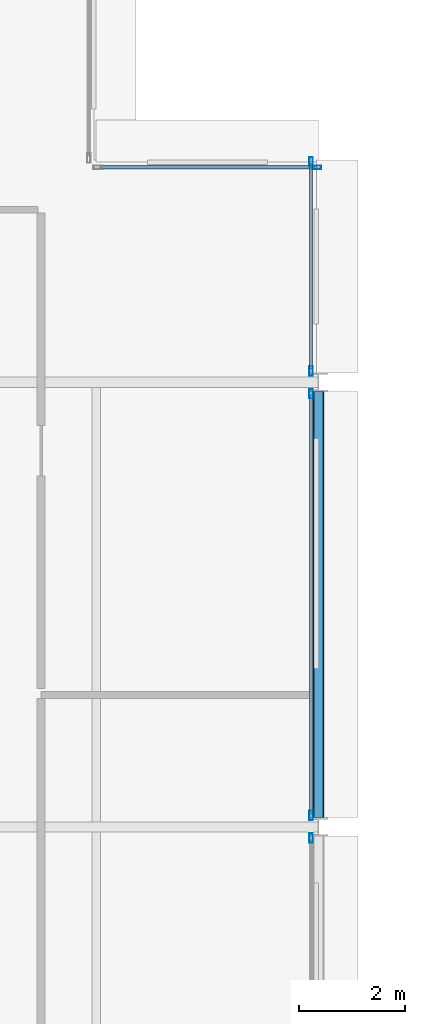
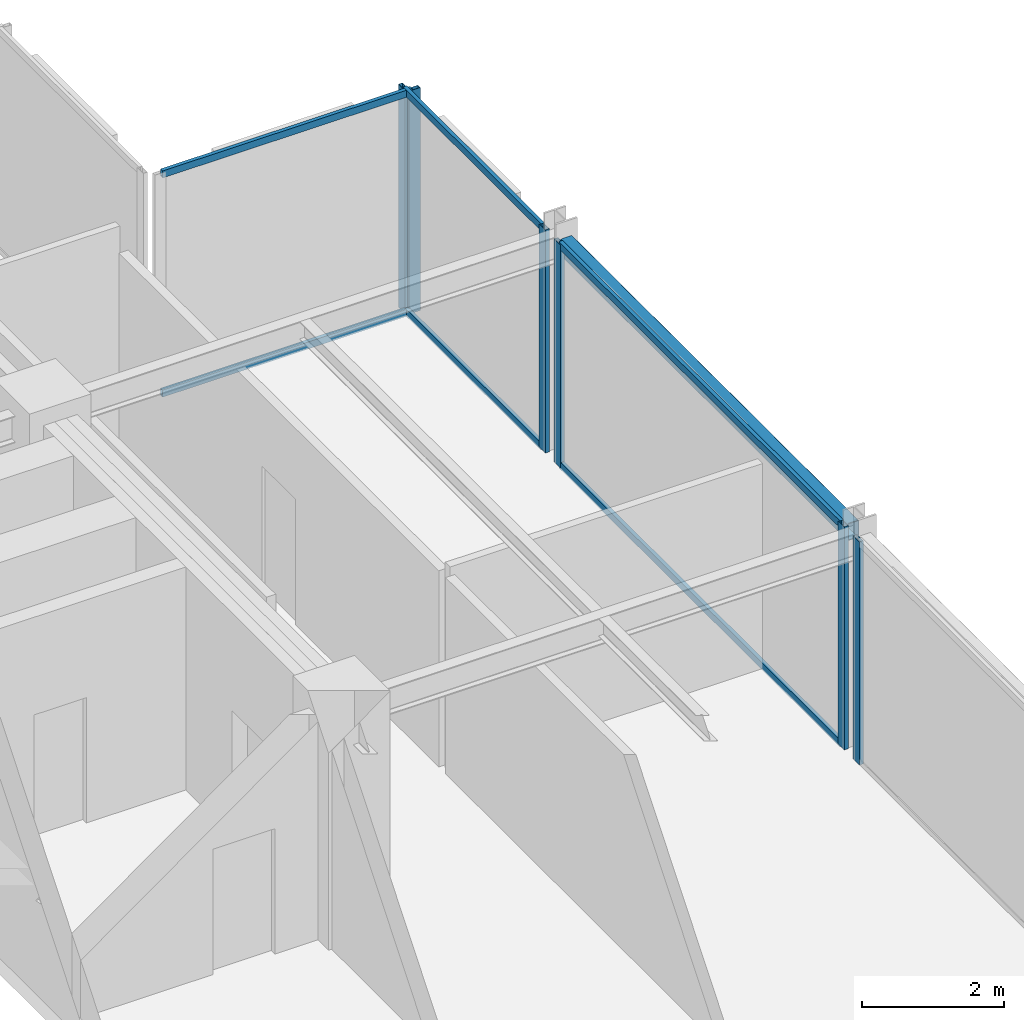
# One storey, part 22 of 29: 12 members, 1 beam, 4 elements without a shape of their own.
"""IFC4 building model written with IfcOpenShell, lengths in metres."""

from ifc_helpers import new_model, si_unit, direction, frame, origin, origin_2d, place, context, subcontext, project, spatial, hollow_rectangle, extrude, material, layer, layer_set, material_profile, profile_set, type_object, element, aggregate, save


model = new_model("IFC4")

# Units and contexts
model_context = context("Model", 3, precision=1e-05, world=origin(), true_north=direction((0.0, 1.0)))
body_context = subcontext(model_context, "Body", "Model", "MODEL_VIEW")
ifc_project = project(units=[si_unit("LENGTHUNIT", "METRE"), si_unit("AREAUNIT", "SQUARE_METRE"), si_unit("VOLUMEUNIT", "CUBIC_METRE"), si_unit("PLANEANGLEUNIT", "RADIAN"), si_unit("MASSUNIT", "GRAM", prefix="KILO")], contexts=[model_context])

# Site, building, storey
site_placement = place(None, origin())
site = spatial("IfcSite", under=ifc_project, at=site_placement, CompositionType="ELEMENT")
building_placement = place(site_placement, origin())
building = spatial("IfcBuilding", under=site, at=building_placement, Name="Nerrivon Quay Data Exchange", CompositionType="ELEMENT")
storey_placement = place(building_placement, frame((0.0, 0.0, 204.199951171875)))
storey = spatial("IfcBuildingStorey", under=building, at=storey_placement, Name="L48", CompositionType="ELEMENT", Elevation=204.199951171875)

# Beam
ifc_material_1 = material(Name="Steel Grade C350L0 (350 MPa)", Category="steel")
ifc_material_profile_1 = material_profile(ifc_material_1, hollow_rectangle(XDim=0.199951171875, YDim=0.300048828125, WallThickness=0.012451171875, InnerFilletRadius=0.018798828125, OuterFilletRadius=0.03125, at=origin_2d()), Name="300x200x12.5RHS")
ifc_profile_set_1 = profile_set([ifc_material_profile_1], Name="Steel Grade C350L0 (350 MPa)")
beam_type = type_object("IfcBeamType", Name="BM-SP3-300x200RHS", PredefinedType="SPANDREL", material=ifc_profile_set_1)
beam_placement = place(storey_placement, frame((25.199951171875, 33.77490234375, 3.675048828125), z_axis=(0.0, 1.0, 0.0), x_axis=(-1.0, 0.0, 0.0)))
element("IfcBeam", 1, at=beam_placement, inside=storey, type_object=beam_type, Name="L48 NS Girder X=25.2 (33.6..42.0)", PredefinedType="SPANDREL", context=body_context, shape_type="SweptSolid", body=[
    extrude(hollow_rectangle(XDim=0.199951171875, YDim=0.300048828125, WallThickness=0.012451171875, InnerFilletRadius=0.018798828125, OuterFilletRadius=0.03125, at=origin_2d()), origin(), (0.0, 0.0, 1.0), 8.050048828125),
])

# Curtain wall, member
ifc_material_2 = material(Name="Anodised aluminium 6063-T6", Category="aluminium")
ifc_layer = layer(ifc_material_2, 0.195068359375)
ifc_layer_set = layer_set([ifc_layer], Name="Anodised aluminium 6063-T6")
curtain_wall_type = type_object("IfcCurtainWallType", Name="CW-SYS-06", PredefinedType="NOTDEFINED", material=ifc_layer_set)
curtain_wall_1_placement = place(storey_placement, origin())
curtain_wall_1 = element("IfcCurtainWall", 2, at=curtain_wall_1_placement, inside=storey, type_object=curtain_wall_type, Name="L48 Unitised Curtain Wall 12", PredefinedType="NOTDEFINED")
ifc_material_profile_2 = material_profile(ifc_material_2, hollow_rectangle(XDim=0.06494140625, YDim=0.179931640625, WallThickness=0.00341796875, at=origin_2d()), Name="ALU-MULL-180x65")
ifc_profile_set_2 = profile_set([ifc_material_profile_2], Name="Anodised aluminium 6063-T6")
member_type_1 = type_object("IfcMemberType", Name="CWM-180x65", PredefinedType="MULLION", material=ifc_profile_set_2)
member_1_placement = place(storey_placement, frame((25.16259765625, 46.06005859375, 0.0), z_axis=(0.0, 0.0, 1.0), x_axis=(0.0, 1.0, 0.0)))
member_1 = element("IfcMember", 3, at=member_1_placement, type_object=member_type_1, Name="CW06 mullion 2", PredefinedType="MULLION", context=body_context, shape_type="SweptSolid", body=[
    extrude(hollow_rectangle(XDim=0.06494140625, YDim=0.179931640625, WallThickness=0.00341796875, at=origin_2d()), origin(), (0.0, 0.0, 1.0), 3.824951171875),
])

# Curtain wall, members
curtain_wall_2_placement = place(storey_placement, origin())
curtain_wall_2 = element("IfcCurtainWall", 4, at=curtain_wall_2_placement, inside=storey, type_object=curtain_wall_type, Name="L48 Unitised Curtain Wall 13", PredefinedType="NOTDEFINED")
member_2_placement = place(storey_placement, frame((25.06005859375, 46.16259765625, 0.0), z_axis=(0.0, 0.0, 1.0), x_axis=(1.0, 0.0, 0.0)))
member_2 = element("IfcMember", 5, at=member_2_placement, type_object=member_type_1, Name="CW06 mullion 1", PredefinedType="MULLION", context=body_context, shape_type="SweptSolid", body=[
    extrude(hollow_rectangle(XDim=0.06494140625, YDim=0.179931640625, WallThickness=0.00341796875, at=origin_2d()), origin(), (0.0, 0.0, 1.0), 3.824951171875),
])
member_3_placement = place(storey_placement, frame((25.06005859375, 42.21240234375, 0.0), z_axis=(0.0, 0.0, 1.0), x_axis=(1.0, 0.0, 0.0)))
member_3 = element("IfcMember", 6, at=member_3_placement, type_object=member_type_1, Name="CW06 mullion 2", PredefinedType="MULLION", context=body_context, shape_type="SweptSolid", body=[
    extrude(hollow_rectangle(XDim=0.06494140625, YDim=0.179931640625, WallThickness=0.00341796875, at=origin_2d()), origin(), (0.0, 0.0, 1.0), 3.824951171875),
])

curtain_wall_3_placement = place(storey_placement, origin())
curtain_wall_3 = element("IfcCurtainWall", 7, at=curtain_wall_3_placement, inside=storey, type_object=curtain_wall_type, Name="L48 Unitised Curtain Wall 14", PredefinedType="NOTDEFINED")
member_4_placement = place(storey_placement, frame((25.06005859375, 41.78759765625, 0.0), z_axis=(0.0, 0.0, 1.0), x_axis=(1.0, 0.0, 0.0)))
member_4 = element("IfcMember", 8, at=member_4_placement, type_object=member_type_1, Name="CW06 mullion 1", PredefinedType="MULLION", context=body_context, shape_type="SweptSolid", body=[
    extrude(hollow_rectangle(XDim=0.06494140625, YDim=0.179931640625, WallThickness=0.00341796875, at=origin_2d()), origin(), (0.0, 0.0, 1.0), 3.824951171875),
])
member_5_placement = place(storey_placement, frame((25.06005859375, 33.8125, 0.0), z_axis=(0.0, 0.0, 1.0), x_axis=(1.0, 0.0, 0.0)))
member_5 = element("IfcMember", 9, at=member_5_placement, type_object=member_type_1, Name="CW06 mullion 2", PredefinedType="MULLION", context=body_context, shape_type="SweptSolid", body=[
    extrude(hollow_rectangle(XDim=0.06494140625, YDim=0.179931640625, WallThickness=0.00341796875, at=origin_2d()), origin(), (0.0, 0.0, 1.0), 3.824951171875),
])

# Curtain wall, member
curtain_wall_4_placement = place(storey_placement, origin())
curtain_wall_4 = element("IfcCurtainWall", 10, at=curtain_wall_4_placement, inside=storey, type_object=curtain_wall_type, Name="L48 Unitised Curtain Wall 15", PredefinedType="NOTDEFINED")
member_6_placement = place(storey_placement, frame((25.06005859375, 33.387451171875, 0.0), z_axis=(0.0, 0.0, 1.0), x_axis=(1.0, 0.0, 0.0)))
member_6 = element("IfcMember", 11, at=member_6_placement, type_object=member_type_1, Name="CW06 mullion 1", PredefinedType="MULLION", context=body_context, shape_type="SweptSolid", body=[
    extrude(hollow_rectangle(XDim=0.06494140625, YDim=0.179931640625, WallThickness=0.00341796875, at=origin_2d()), origin(), (0.0, 0.0, 1.0), 3.824951171875),
])
aggregate(curtain_wall_4, [member_6])

# Member
ifc_material_profile_3 = material_profile(ifc_material_2, hollow_rectangle(XDim=0.06005859375, YDim=0.1201171875, WallThickness=0.003173828125, at=origin_2d()), Name="ALU-TRAN-120x60")
ifc_profile_set_3 = profile_set([ifc_material_profile_3], Name="Anodised aluminium 6063-T6")
member_type_2 = type_object("IfcMemberType", Name="CWT-120x60", PredefinedType="USERDEFINED", material=ifc_profile_set_3)
member_7_placement = place(storey_placement, frame((21.074951171875, 46.06005859375, 0.032470703125), z_axis=(1.0, 0.0, 0.0), x_axis=(0.0, 1.0, 0.0)))
member_7 = element("IfcMember", 12, at=member_7_placement, type_object=member_type_2, Name="CW06 transom 1.1", ObjectType="TRANSOM", PredefinedType="USERDEFINED", context=body_context, shape_type="SweptSolid", body=[
    extrude(hollow_rectangle(XDim=0.06005859375, YDim=0.1201171875, WallThickness=0.003173828125, at=origin_2d()), origin(), (0.0, 0.0, 1.0), 4.050048828125),
])

member_8_placement = place(storey_placement, frame((21.074951171875, 46.06005859375, 3.79248046875), z_axis=(1.0, 0.0, 0.0), x_axis=(0.0, 1.0, 0.0)))
member_8 = element("IfcMember", 13, at=member_8_placement, type_object=member_type_2, Name="CW06 transom 1.2", ObjectType="TRANSOM", PredefinedType="USERDEFINED", context=body_context, shape_type="SweptSolid", body=[
    extrude(hollow_rectangle(XDim=0.06005859375, YDim=0.1201171875, WallThickness=0.003173828125, at=origin_2d()), origin(), (0.0, 0.0, 1.0), 4.050048828125),
])

aggregate(curtain_wall_1, [member_1, member_7, member_8])

member_9_placement = place(storey_placement, frame((25.06005859375, 46.125, 0.032470703125), z_axis=(0.0, -1.0, 0.0), x_axis=(1.0, 0.0, 0.0)))
member_9 = element("IfcMember", 14, at=member_9_placement, type_object=member_type_2, Name="CW06 transom 1.1", ObjectType="TRANSOM", PredefinedType="USERDEFINED", context=body_context, shape_type="SweptSolid", body=[
    extrude(hollow_rectangle(XDim=0.06005859375, YDim=0.1201171875, WallThickness=0.003173828125, at=origin_2d()), origin(), (0.0, 0.0, 1.0), 3.875),
])

member_10_placement = place(storey_placement, frame((25.06005859375, 46.125, 3.79248046875), z_axis=(0.0, -1.0, 0.0), x_axis=(1.0, 0.0, 0.0)))
member_10 = element("IfcMember", 15, at=member_10_placement, type_object=member_type_2, Name="CW06 transom 1.2", ObjectType="TRANSOM", PredefinedType="USERDEFINED", context=body_context, shape_type="SweptSolid", body=[
    extrude(hollow_rectangle(XDim=0.06005859375, YDim=0.1201171875, WallThickness=0.003173828125, at=origin_2d()), origin(), (0.0, 0.0, 1.0), 3.875),
])

aggregate(curtain_wall_2, [member_2, member_3, member_9, member_10])

member_11_placement = place(storey_placement, frame((25.06005859375, 41.75, 0.032470703125), z_axis=(0.0, -1.0, 0.0), x_axis=(1.0, 0.0, 0.0)))
member_11 = element("IfcMember", 16, at=member_11_placement, type_object=member_type_2, Name="CW06 transom 1.1", ObjectType="TRANSOM", PredefinedType="USERDEFINED", context=body_context, shape_type="SweptSolid", body=[
    extrude(hollow_rectangle(XDim=0.06005859375, YDim=0.1201171875, WallThickness=0.003173828125, at=origin_2d()), origin(), (0.0, 0.0, 1.0), 7.89990234375),
])

member_12_placement = place(storey_placement, frame((25.06005859375, 41.75, 3.79248046875), z_axis=(0.0, -1.0, 0.0), x_axis=(1.0, 0.0, 0.0)))
member_12 = element("IfcMember", 17, at=member_12_placement, type_object=member_type_2, Name="CW06 transom 1.2", ObjectType="TRANSOM", PredefinedType="USERDEFINED", context=body_context, shape_type="SweptSolid", body=[
    extrude(hollow_rectangle(XDim=0.06005859375, YDim=0.1201171875, WallThickness=0.003173828125, at=origin_2d()), origin(), (0.0, 0.0, 1.0), 7.89990234375),
])

aggregate(curtain_wall_3, [member_4, member_5, member_11, member_12])

save(model, "model.ifc")
